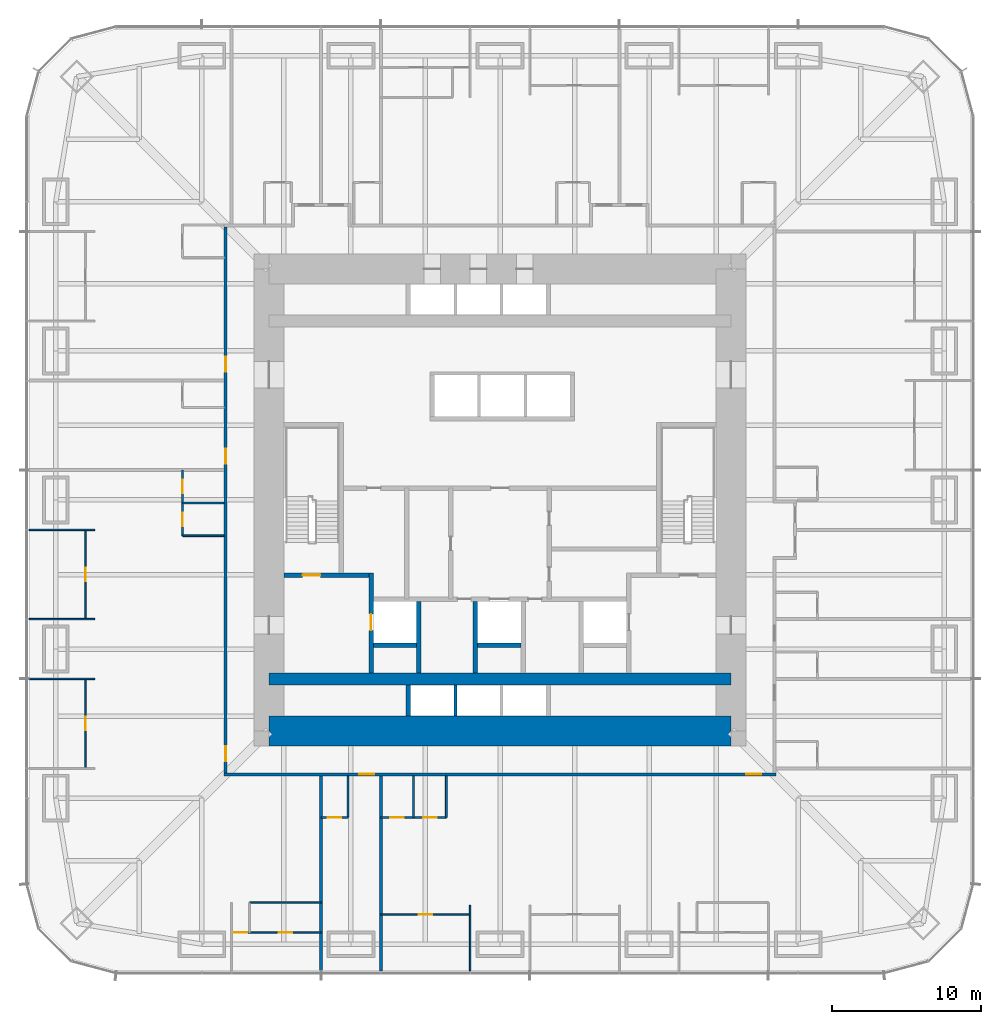
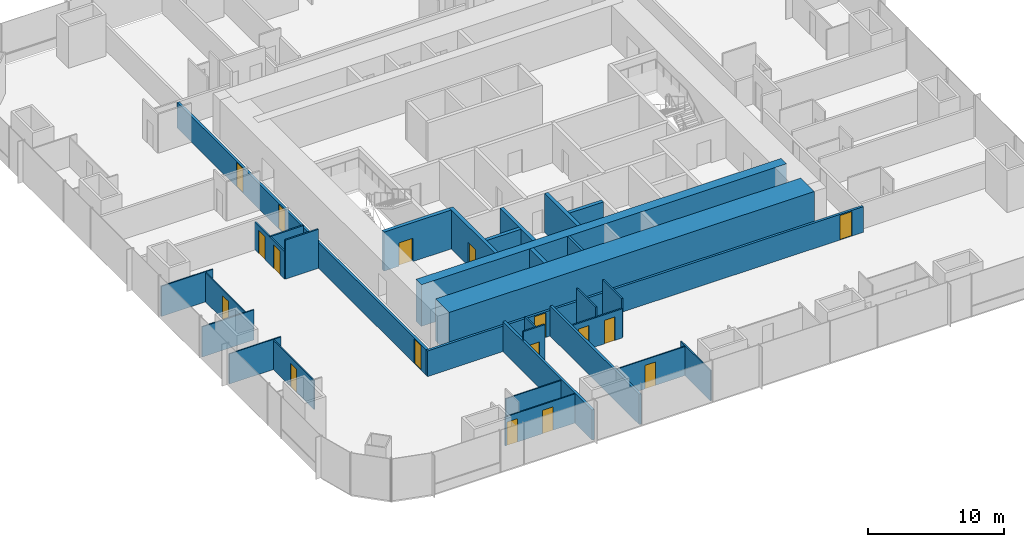
# One storey, part 12 of 17: 31 walls, 17 doors, 17 openings.
"""IFC4 building model written with IfcOpenShell, lengths in metres."""

from ifc_helpers import new_model, si_unit, direction, frame, frame_2d, origin, place, context, subcontext, project, spatial, rectangle, extrude, material, layer, layer_set, type_object, element, fill, save


model = new_model("IFC4")

# Units and contexts
model_context = context("Model", 3, precision=1e-05, world=origin(), true_north=direction((0.0, 1.0)))
body_context = subcontext(model_context, "Body", "Model", "MODEL_VIEW")
ifc_project = project(units=[si_unit("LENGTHUNIT", "METRE"), si_unit("AREAUNIT", "SQUARE_METRE"), si_unit("VOLUMEUNIT", "CUBIC_METRE"), si_unit("PLANEANGLEUNIT", "RADIAN"), si_unit("MASSUNIT", "GRAM", prefix="KILO")], contexts=[model_context])

# Site, building, storey
site_placement = place(None, origin())
site = spatial("IfcSite", under=ifc_project, at=site_placement, CompositionType="ELEMENT")
building_placement = place(site_placement, origin())
building = spatial("IfcBuilding", under=site, at=building_placement, Name="Khuree Lantern Residences", CompositionType="ELEMENT")
storey_placement = place(building_placement, frame((0.0, 0.0, 39.75)))
storey = spatial("IfcBuildingStorey", under=building, at=storey_placement, Name="L09", CompositionType="ELEMENT", Elevation=39.75)

# Wall, openings, doors
ifc_material_1 = material(Name="Moisture-resistant gypsum board on steel studs", Category="steel")
ifc_layer_1 = layer(ifc_material_1, 0.125)
ifc_layer_set_1 = layer_set([ifc_layer_1], Name="BATHROOM WALL BTW125")
wall_type_1 = type_object("IfcWallType", Name="BATHROOM WALL BTW125", PredefinedType="PARTITIONING", material=ifc_layer_set_1)
wall_1_placement = place(storey_placement, frame((-21.300048828125, 2.0, 0.0), z_axis=(0.0, 0.0, 1.0), x_axis=(0.0, -1.0, 0.0)))
wall_1 = element("IfcWall", 1, at=wall_1_placement, inside=storey, type_object=wall_type_1, Name="L09 BATHROOM WALL 09", PredefinedType="PARTITIONING", context=body_context, shape_type="SweptSolid", body=[
    extrude(rectangle(XDim=4.39990234375, YDim=0.125, at=frame_2d((2.199951171875, 0.0))), origin(), (0.0, 0.0, 1.0), 2.491943359375),
])
opening_1_placement = place(wall_1_placement, frame((0.64990234375, 0.0, 0.0)))
opening_1 = element("IfcOpeningElement", 2, at=opening_1_placement, cuts=wall_1, Name="Opening 09-047", PredefinedType="OPENING", context=body_context, shape_type="SweptSolid", body=[
    extrude(rectangle(XDim=0.89990234375, YDim=2.10009765625, at=frame_2d((0.449951171875, 1.050048828125))), frame((0.0, 0.072509765625, 0.0), z_axis=(0.0, -1.0, 0.0), x_axis=(1.0, 0.0, 0.0)), (0.0, 0.0, 1.0), 0.14501953125),
])
opening_2_placement = place(wall_1_placement, frame((2.85009765625, 0.0, 0.0)))
opening_2 = element("IfcOpeningElement", 3, at=opening_2_placement, cuts=wall_1, Name="Opening 09-048", PredefinedType="OPENING", context=body_context, shape_type="SweptSolid", body=[
    extrude(rectangle(XDim=0.89990234375, YDim=2.10009765625, at=frame_2d((0.449951171875, 1.050048828125))), frame((0.0, 0.072509765625, 0.0), z_axis=(0.0, -1.0, 0.0), x_axis=(1.0, 0.0, 0.0)), (0.0, 0.0, 1.0), 0.14501953125),
])
ifc_material_2 = material(Name="Timber door leaf in hardwood frame", Category="wood")
door_type_1 = type_object("IfcDoorType", Name="BATHROOM DOOR 900X2100", OperationType="SINGLE_SWING_LEFT", PredefinedType="DOOR", material=ifc_material_2)
door_1_placement = place(opening_1_placement, origin())
door_1 = element("IfcDoor", 4, at=door_1_placement, inside=storey, type_object=door_type_1, Name="Bathroom door 09-047", OperationType="SINGLE_SWING_LEFT", OverallHeight=2.10009765625, OverallWidth=0.89990234375, PredefinedType="DOOR", context=body_context, shape_type="SweptSolid", body=[
    extrude(rectangle(XDim=0.89990234375, YDim=2.10009765625, at=frame_2d((0.449951171875, 1.050048828125))), frame((0.0, 0.02490234375, 0.0), z_axis=(0.0, -1.0, 0.0), x_axis=(1.0, 0.0, 0.0)), (0.0, 0.0, 1.0), 0.050048828125),
])
fill(opening_1, door_1)
door_2_placement = place(opening_2_placement, origin())
door_2 = element("IfcDoor", 5, at=door_2_placement, inside=storey, type_object=door_type_1, Name="Bathroom door 09-048", OperationType="SINGLE_SWING_LEFT", OverallHeight=2.10009765625, OverallWidth=0.89990234375, PredefinedType="DOOR", context=body_context, shape_type="SweptSolid", body=[
    extrude(rectangle(XDim=0.89990234375, YDim=2.10009765625, at=frame_2d((0.449951171875, 1.050048828125))), frame((0.0, 0.02490234375, 0.0), z_axis=(0.0, -1.0, 0.0), x_axis=(1.0, 0.0, 0.0)), (0.0, 0.0, 1.0), 0.050048828125),
])
fill(opening_2, door_2)

# Walls
wall_2_placement = place(storey_placement, frame((-18.5, -0.199951171875, 0.0), z_axis=(0.0, 0.0, 1.0), x_axis=(-1.0, 0.0, 0.0)))
element("IfcWall", 6, at=wall_2_placement, inside=storey, type_object=wall_type_1, Name="L09 BATHROOM WALL 09", PredefinedType="PARTITIONING", context=body_context, shape_type="SweptSolid", body=[
    extrude(rectangle(XDim=2.800048828125, YDim=0.125, at=frame_2d((1.39990234375, 0.0))), origin(), (0.0, 0.0, 1.0), 2.491943359375),
])
wall_3_placement = place(storey_placement, frame((-18.5, -2.39990234375, 0.0), z_axis=(0.0, 0.0, 1.0), x_axis=(-1.0, 0.0, 0.0)))
element("IfcWall", 7, at=wall_3_placement, inside=storey, type_object=wall_type_1, Name="L09 BATHROOM WALL 09", PredefinedType="PARTITIONING", context=body_context, shape_type="SweptSolid", body=[
    extrude(rectangle(XDim=2.800048828125, YDim=0.125, at=frame_2d((1.39990234375, 0.0))), origin(), (0.0, 0.0, 1.0), 3.5),
])

# Wall, opening, door
wall_4_placement = place(storey_placement, frame((-12.0, -21.300048828125, 0.0), z_axis=(0.0, 0.0, 1.0), x_axis=(1.0, 0.0, 0.0)))
wall_4 = element("IfcWall", 8, at=wall_4_placement, inside=storey, type_object=wall_type_1, Name="L09 BATHROOM WALL 10", PredefinedType="PARTITIONING", context=body_context, shape_type="SweptSolid", body=[
    extrude(rectangle(XDim=1.800048828125, YDim=0.125, at=frame_2d((0.89990234375, 0.0))), origin(), (0.0, 0.0, 1.0), 3.5),
])
opening_3_placement = place(wall_4_placement, frame((0.449951171875, 0.0, 0.0)))
opening_3 = element("IfcOpeningElement", 9, at=opening_3_placement, cuts=wall_4, Name="Opening 09-050", PredefinedType="OPENING", context=body_context, shape_type="SweptSolid", body=[
    extrude(rectangle(XDim=0.89990234375, YDim=2.10009765625, at=frame_2d((0.449951171875, 1.050048828125))), frame((0.0, 0.072509765625, 0.0), z_axis=(0.0, -1.0, 0.0), x_axis=(1.0, 0.0, 0.0)), (0.0, 0.0, 1.0), 0.14501953125),
])
door_3_placement = place(opening_3_placement, origin())
door_3 = element("IfcDoor", 10, at=door_3_placement, inside=storey, type_object=door_type_1, Name="Bathroom door 09-050", OperationType="SINGLE_SWING_LEFT", OverallHeight=2.10009765625, OverallWidth=0.89990234375, PredefinedType="DOOR", context=body_context, shape_type="SweptSolid", body=[
    extrude(rectangle(XDim=0.89990234375, YDim=2.10009765625, at=frame_2d((0.449951171875, 1.050048828125))), frame((0.0, 0.02490234375, 0.0), z_axis=(0.0, -1.0, 0.0), x_axis=(1.0, 0.0, 0.0)), (0.0, 0.0, 1.0), 0.050048828125),
])
fill(opening_3, door_3)

# Wall
wall_5_placement = place(storey_placement, frame((-10.199951171875, -18.5, 0.0), z_axis=(0.0, 0.0, 1.0), x_axis=(0.0, -1.0, 0.0)))
element("IfcWall", 11, at=wall_5_placement, inside=storey, type_object=wall_type_1, Name="L09 BATHROOM WALL 10", PredefinedType="PARTITIONING", context=body_context, shape_type="SweptSolid", body=[
    extrude(rectangle(XDim=2.800048828125, YDim=0.125, at=frame_2d((1.39990234375, 0.0))), origin(), (0.0, 0.0, 1.0), 2.491943359375),
])

# Wall, openings, doors
wall_6_placement = place(storey_placement, frame((-8.0, -21.300048828125, 0.0), z_axis=(0.0, 0.0, 1.0), x_axis=(1.0, 0.0, 0.0)))
wall_6 = element("IfcWall", 12, at=wall_6_placement, inside=storey, type_object=wall_type_1, Name="L09 BATHROOM WALL 11", PredefinedType="PARTITIONING", context=body_context, shape_type="SweptSolid", body=[
    extrude(rectangle(XDim=4.39990234375, YDim=0.125, at=frame_2d((2.199951171875, 0.0))), origin(), (0.0, 0.0, 1.0), 2.610107421875),
])
opening_4_placement = place(wall_6_placement, frame((0.64990234375, 0.0, 0.0)))
opening_4 = element("IfcOpeningElement", 13, at=opening_4_placement, cuts=wall_6, Name="Opening 09-056", PredefinedType="OPENING", context=body_context, shape_type="SweptSolid", body=[
    extrude(rectangle(XDim=0.89990234375, YDim=2.10009765625, at=frame_2d((0.449951171875, 1.050048828125))), frame((0.0, 0.072509765625, 0.0), z_axis=(0.0, -1.0, 0.0), x_axis=(1.0, 0.0, 0.0)), (0.0, 0.0, 1.0), 0.14501953125),
])
opening_5_placement = place(wall_6_placement, frame((2.85009765625, 0.0, 0.0)))
opening_5 = element("IfcOpeningElement", 14, at=opening_5_placement, cuts=wall_6, Name="Opening 09-057", PredefinedType="OPENING", context=body_context, shape_type="SweptSolid", body=[
    extrude(rectangle(XDim=0.89990234375, YDim=2.10009765625, at=frame_2d((0.449951171875, 1.050048828125))), frame((0.0, 0.072509765625, 0.0), z_axis=(0.0, -1.0, 0.0), x_axis=(1.0, 0.0, 0.0)), (0.0, 0.0, 1.0), 0.14501953125),
])
door_4_placement = place(opening_4_placement, origin())
door_4 = element("IfcDoor", 15, at=door_4_placement, inside=storey, type_object=door_type_1, Name="Bathroom door 09-056", OperationType="SINGLE_SWING_LEFT", OverallHeight=2.10009765625, OverallWidth=0.89990234375, PredefinedType="DOOR", context=body_context, shape_type="SweptSolid", body=[
    extrude(rectangle(XDim=0.89990234375, YDim=2.10009765625, at=frame_2d((0.449951171875, 1.050048828125))), frame((0.0, 0.02490234375, 0.0), z_axis=(0.0, -1.0, 0.0), x_axis=(1.0, 0.0, 0.0)), (0.0, 0.0, 1.0), 0.050048828125),
])
fill(opening_4, door_4)
door_5_placement = place(opening_5_placement, origin())
door_5 = element("IfcDoor", 16, at=door_5_placement, inside=storey, type_object=door_type_1, Name="Bathroom door 09-057", OperationType="SINGLE_SWING_LEFT", OverallHeight=2.10009765625, OverallWidth=0.89990234375, PredefinedType="DOOR", context=body_context, shape_type="SweptSolid", body=[
    extrude(rectangle(XDim=0.89990234375, YDim=2.10009765625, at=frame_2d((0.449951171875, 1.050048828125))), frame((0.0, 0.02490234375, 0.0), z_axis=(0.0, -1.0, 0.0), x_axis=(1.0, 0.0, 0.0)), (0.0, 0.0, 1.0), 0.050048828125),
])
fill(opening_5, door_5)

# Walls
for number, where, z_axis, x_axis, name in (
    (17, (-5.800048828125, -18.5, 0.0), (0.0, 0.0, 1.0), (0.0, -1.0, 0.0), "L09 BATHROOM WALL 11"),
    (18, (-3.60009765625, -18.5, 0.0), (0.0, 0.0, 1.0), (0.0, -1.0, 0.0), "L09 BATHROOM WALL 11"),
):
    element("IfcWall", number, at=place(storey_placement, frame(where, z_axis=z_axis, x_axis=x_axis)), inside=storey, type_object=wall_type_1, Name=name, PredefinedType="PARTITIONING", context=body_context, shape_type="SweptSolid", body=[
        extrude(rectangle(XDim=2.800048828125, YDim=0.125, at=frame_2d((1.39990234375, 0.0))), origin(), (0.0, 0.0, 1.0), 3.5),
    ])

# Wall, opening, door
ifc_material_3 = material(Name="Dense concrete blockwork", Category="masonry")
ifc_layer_2 = layer(ifc_material_3, 0.300048828125)
ifc_layer_set_2 = layer_set([ifc_layer_2], Name="CORE PARTITION WALL CPW300 EI 120")
wall_type_2 = type_object("IfcWallType", Name="CORE PARTITION WALL CPW300 EI 120", PredefinedType="PARTITIONING", material=ifc_layer_set_2)
wall_7_placement = place(storey_placement, frame((-8.64990234375, -11.60009765625, 0.0), z_axis=(0.0, 0.0, 1.0), x_axis=(0.0, 1.0, 0.0)))
wall_7 = element("IfcWall", 19, at=wall_7_placement, inside=storey, type_object=wall_type_2, Name="L09 CORE WALL FL1W", PredefinedType="PARTITIONING", context=body_context, shape_type="SweptSolid", body=[
    extrude(rectangle(XDim=6.7001953125, YDim=0.300048828125, at=frame_2d((3.35009765625, 0.0))), origin(), (0.0, 0.0, 1.0), 3.5),
])
opening_6_placement = place(wall_7_placement, frame((2.85009765625, 0.0, 0.0)))
opening_6 = element("IfcOpeningElement", 20, at=opening_6_placement, cuts=wall_7, Name="Opening 09-007", PredefinedType="OPENING", context=body_context, shape_type="SweptSolid", body=[
    extrude(rectangle(XDim=1.10009765625, YDim=2.10009765625, at=frame_2d((0.550048828125, 1.050048828125))), frame((0.0, 0.16015625, 0.0), z_axis=(0.0, -1.0, 0.0), x_axis=(1.0, 0.0, 0.0)), (0.0, 0.0, 1.0), 0.320068359375),
])
ifc_material_4 = material(Name="Stainless steel lift landing door", Category="steel")
door_type_2 = type_object("IfcDoorType", Name="LIFT LANDING DOOR 1100X2100 E 120", OperationType="DOUBLE_DOOR_SLIDING", PredefinedType="DOOR", material=ifc_material_4)
door_6_placement = place(opening_6_placement, origin())
door_6 = element("IfcDoor", 21, at=door_6_placement, inside=storey, type_object=door_type_2, Name="Landing door FL1 09-007", OperationType="DOUBLE_DOOR_SLIDING", OverallHeight=2.10009765625, OverallWidth=1.10009765625, PredefinedType="DOOR", context=body_context, shape_type="SweptSolid", body=[
    extrude(rectangle(XDim=1.10009765625, YDim=2.10009765625, at=frame_2d((0.550048828125, 1.050048828125))), frame((0.0, 0.02490234375, 0.0), z_axis=(0.0, -1.0, 0.0), x_axis=(1.0, 0.0, 0.0)), (0.0, 0.0, 1.0), 0.050048828125),
])
fill(opening_6, door_6)

# Walls
for number, where, z_axis, x_axis, name in (
    (22, (-5.449951171875, -11.60009765625, 0.0), (0.0, 0.0, 1.0), (0.0, 1.0, 0.0), "L09 CORE WALL FL1E"),
    (23, (-1.64990234375, -11.60009765625, 0.0), (0.0, 0.0, 1.0), (0.0, 1.0, 0.0), "L09 CORE WALL SL1W"),
):
    element("IfcWall", number, at=place(storey_placement, frame(where, z_axis=z_axis, x_axis=x_axis)), inside=storey, type_object=wall_type_2, Name=name, PredefinedType="PARTITIONING", context=body_context, shape_type="SweptSolid", body=[
        extrude(rectangle(XDim=4.800048828125, YDim=0.300048828125, at=frame_2d((2.39990234375, 0.0))), origin(), (0.0, 0.0, 1.0), 3.5),
    ])
for number, where, z_axis, x_axis, name in (
    (24, (-8.5, -9.75, 0.0), (0.0, 0.0, 1.0), (1.0, 0.0, 0.0), "L09 CORE WALL FL1S"),
    (25, (-1.5, -9.75, 0.0), (0.0, 0.0, 1.0), (1.0, 0.0, 0.0), "L09 CORE WALL SL1S"),
):
    element("IfcWall", number, at=place(storey_placement, frame(where, z_axis=z_axis, x_axis=x_axis)), inside=storey, type_object=wall_type_2, Name=name, PredefinedType="PARTITIONING", context=body_context, shape_type="SweptSolid", body=[
        extrude(rectangle(XDim=2.89990234375, YDim=0.300048828125, at=frame_2d((1.449951171875, 0.0))), origin(), (0.0, 0.0, 1.0), 3.5),
    ])
wall_8_placement = place(storey_placement, frame((-6.14990234375, -14.5, 0.0), z_axis=(0.0, 0.0, 1.0), x_axis=(0.0, 1.0, 0.0)))
element("IfcWall", 26, at=wall_8_placement, inside=storey, type_object=wall_type_2, Name="L09 CORE WALL PMW", PredefinedType="PARTITIONING", context=body_context, shape_type="SweptSolid", body=[
    extrude(rectangle(XDim=2.10009765625, YDim=0.300048828125, at=frame_2d((1.050048828125, 0.0))), origin(), (0.0, 0.0, 1.0), 3.5),
])

# Wall, openings, doors
ifc_material_5 = material(Name="Gypsum board on steel studs", Category="steel")
ifc_layer_3 = layer(ifc_material_5, 0.199951171875)
ifc_layer_set_3 = layer_set([ifc_layer_3], Name="CORRIDOR WALL CRW200 EI 60")
wall_type_3 = type_object("IfcWallType", Name="CORRIDOR WALL CRW200 EI 60", PredefinedType="PARTITIONING", material=ifc_layer_set_3)
wall_9_placement = place(storey_placement, frame((-18.39990234375, 18.300048828125, 0.0), z_axis=(0.0, 0.0, 1.0), x_axis=(0.0, -1.0, 0.0)))
wall_9 = element("IfcWall", 27, at=wall_9_placement, inside=storey, type_object=wall_type_3, Name="L09 CORRIDOR WALL WEST 1", PredefinedType="PARTITIONING", context=body_context, shape_type="SweptSolid", body=[
    extrude(rectangle(XDim=36.60009765625, YDim=0.199951171875, at=frame_2d((18.300048828125, 0.0))), origin(), (0.0, 0.0, 1.0), 2.300048828125),
])
opening_7_placement = place(wall_9_placement, frame((8.699951171875, 0.0, 0.0)))
opening_7 = element("IfcOpeningElement", 28, at=opening_7_placement, cuts=wall_9, Name="Opening 09-040", PredefinedType="OPENING", context=body_context, shape_type="SweptSolid", body=[
    extrude(rectangle(XDim=1.0, YDim=2.199951171875, at=frame_2d((0.5, 1.10009765625))), frame((0.0, 0.10986328125, 0.0), z_axis=(0.0, -1.0, 0.0), x_axis=(1.0, 0.0, 0.0)), (0.0, 0.0, 1.0), 0.219970703125),
])
opening_8_placement = place(wall_9_placement, frame((14.8701171875, 0.0, 0.0)))
opening_8 = element("IfcOpeningElement", 29, at=opening_8_placement, cuts=wall_9, Name="Opening 09-042", PredefinedType="OPENING", context=body_context, shape_type="SweptSolid", body=[
    extrude(rectangle(XDim=1.0, YDim=2.199951171875, at=frame_2d((0.5, 1.10009765625))), frame((0.0, 0.10986328125, 0.0), z_axis=(0.0, -1.0, 0.0), x_axis=(1.0, 0.0, 0.0)), (0.0, 0.0, 1.0), 0.219970703125),
])
opening_9_placement = place(wall_9_placement, frame((34.820068359375, 0.0, 0.0)))
opening_9 = element("IfcOpeningElement", 30, at=opening_9_placement, cuts=wall_9, Name="Opening 09-049", PredefinedType="OPENING", context=body_context, shape_type="SweptSolid", body=[
    extrude(rectangle(XDim=1.0, YDim=2.199951171875, at=frame_2d((0.5, 1.10009765625))), frame((0.0, 0.10986328125, 0.0), z_axis=(0.0, -1.0, 0.0), x_axis=(1.0, 0.0, 0.0)), (0.0, 0.0, 1.0), 0.219970703125),
])
door_type_3 = type_object("IfcDoorType", Name="APARTMENT ENTRANCE DOOR 1000X2200 EI 30S", OperationType="SINGLE_SWING_LEFT", PredefinedType="DOOR", material=ifc_material_2)
door_7_placement = place(opening_7_placement, origin())
door_7 = element("IfcDoor", 31, at=door_7_placement, inside=storey, type_object=door_type_3, Name="Apartment 07 entrance door 09-040", OperationType="SINGLE_SWING_LEFT", OverallHeight=2.199951171875, OverallWidth=1.0, PredefinedType="DOOR", context=body_context, shape_type="SweptSolid", body=[
    extrude(rectangle(XDim=1.0, YDim=2.199951171875, at=frame_2d((0.5, 1.10009765625))), frame((0.0, 0.02490234375, 0.0), z_axis=(0.0, -1.0, 0.0), x_axis=(1.0, 0.0, 0.0)), (0.0, 0.0, 1.0), 0.050048828125),
])
fill(opening_7, door_7)
door_8_placement = place(opening_8_placement, origin())
door_8 = element("IfcDoor", 32, at=door_8_placement, inside=storey, type_object=door_type_3, Name="Apartment 08 entrance door 09-042", OperationType="SINGLE_SWING_LEFT", OverallHeight=2.199951171875, OverallWidth=1.0, PredefinedType="DOOR", context=body_context, shape_type="SweptSolid", body=[
    extrude(rectangle(XDim=1.0, YDim=2.199951171875, at=frame_2d((0.5, 1.10009765625))), frame((0.0, 0.02490234375, 0.0), z_axis=(0.0, -1.0, 0.0), x_axis=(1.0, 0.0, 0.0)), (0.0, 0.0, 1.0), 0.050048828125),
])
fill(opening_8, door_8)
door_type_4 = type_object("IfcDoorType", Name="APARTMENT ENTRANCE DOOR 1000X2200 EI 30S RIGHT HAND", OperationType="SINGLE_SWING_RIGHT", PredefinedType="DOOR", material=ifc_material_2)
door_9_placement = place(opening_9_placement, origin())
door_9 = element("IfcDoor", 33, at=door_9_placement, inside=storey, type_object=door_type_4, Name="Apartment 09 entrance door 09-049", OperationType="SINGLE_SWING_RIGHT", OverallHeight=2.199951171875, OverallWidth=1.0, PredefinedType="DOOR", context=body_context, shape_type="SweptSolid", body=[
    extrude(rectangle(XDim=1.0, YDim=2.199951171875, at=frame_2d((0.5, 1.10009765625))), frame((0.0, 0.02490234375, 0.0), z_axis=(0.0, -1.0, 0.0), x_axis=(1.0, 0.0, 0.0)), (0.0, 0.0, 1.0), 0.050048828125),
])
fill(opening_9, door_9)

wall_10_placement = place(storey_placement, frame((18.5, -18.39990234375, 0.0), z_axis=(0.0, 0.0, 1.0), x_axis=(-1.0, 0.0, 0.0)))
wall_10 = element("IfcWall", 34, at=wall_10_placement, inside=storey, type_object=wall_type_3, Name="L09 CORRIDOR WALL SOUTH 1", PredefinedType="PARTITIONING", context=body_context, shape_type="SweptSolid", body=[
    extrude(rectangle(XDim=37.0, YDim=0.199951171875, at=frame_2d((18.5, 0.0))), origin(), (0.0, 0.0, 1.0), 2.300048828125),
])
opening_10_placement = place(wall_10_placement, frame((26.929931640625, 0.0, 0.0)))
opening_10 = element("IfcOpeningElement", 35, at=opening_10_placement, cuts=wall_10, Name="Opening 09-051", PredefinedType="OPENING", context=body_context, shape_type="SweptSolid", body=[
    extrude(rectangle(XDim=1.0, YDim=2.199951171875, at=frame_2d((0.5, 1.10009765625))), frame((0.0, 0.10986328125, 0.0), z_axis=(0.0, -1.0, 0.0), x_axis=(1.0, 0.0, 0.0)), (0.0, 0.0, 1.0), 0.219970703125),
])
opening_11_placement = place(wall_10_placement, frame((0.97998046875, 0.0, 0.0)))
opening_11 = element("IfcOpeningElement", 36, at=opening_11_placement, cuts=wall_10, Name="Opening 09-058", PredefinedType="OPENING", context=body_context, shape_type="SweptSolid", body=[
    extrude(rectangle(XDim=1.0, YDim=2.199951171875, at=frame_2d((0.5, 1.10009765625))), frame((0.0, 0.10986328125, 0.0), z_axis=(0.0, -1.0, 0.0), x_axis=(1.0, 0.0, 0.0)), (0.0, 0.0, 1.0), 0.219970703125),
])
door_10_placement = place(opening_10_placement, origin())
door_10 = element("IfcDoor", 37, at=door_10_placement, inside=storey, type_object=door_type_3, Name="Apartment 10 entrance door 09-051", OperationType="SINGLE_SWING_LEFT", OverallHeight=2.199951171875, OverallWidth=1.0, PredefinedType="DOOR", context=body_context, shape_type="SweptSolid", body=[
    extrude(rectangle(XDim=1.0, YDim=2.199951171875, at=frame_2d((0.5, 1.10009765625))), frame((0.0, 0.02490234375, 0.0), z_axis=(0.0, -1.0, 0.0), x_axis=(1.0, 0.0, 0.0)), (0.0, 0.0, 1.0), 0.050048828125),
])
fill(opening_10, door_10)
door_11_placement = place(opening_11_placement, origin())
door_11 = element("IfcDoor", 38, at=door_11_placement, inside=storey, type_object=door_type_3, Name="Apartment 11 entrance door 09-058", OperationType="SINGLE_SWING_LEFT", OverallHeight=2.199951171875, OverallWidth=1.0, PredefinedType="DOOR", context=body_context, shape_type="SweptSolid", body=[
    extrude(rectangle(XDim=1.0, YDim=2.199951171875, at=frame_2d((0.5, 1.10009765625))), frame((0.0, 0.02490234375, 0.0), z_axis=(0.0, -1.0, 0.0), x_axis=(1.0, 0.0, 0.0)), (0.0, 0.0, 1.0), 0.050048828125),
])
fill(opening_11, door_11)

# Walls
ifc_material_6 = material(Name="Concrete C70/85", Category="concrete")
ifc_layer_4 = layer(ifc_material_6, 2.0)
ifc_layer_set_4 = layer_set([ifc_layer_4], Name="CW2000-C70 CORE WALL C70 2000")
wall_type_4 = type_object("IfcWallType", Name="CW2000-C70 CORE WALL C70 2000", PredefinedType="SHEAR", material=ifc_layer_set_4)
wall_11_placement = place(storey_placement, frame((-15.5, -15.5, -0.25), z_axis=(0.0, 0.0, 1.0), x_axis=(1.0, 0.0, 0.0)))
element("IfcWall", 39, at=wall_11_placement, inside=storey, type_object=wall_type_4, Name="Core wall S", PredefinedType="SHEAR", context=body_context, shape_type="SweptSolid", body=[
    extrude(rectangle(XDim=31.0, YDim=2.0, at=frame_2d((15.5, 0.0))), origin(), (0.0, 0.0, 1.0), 3.75),
])
ifc_layer_5 = layer(ifc_material_5, 0.199951171875)
ifc_layer_set_5 = layer_set([ifc_layer_5], Name="DEMISING WALL DMW200 EI 90")
wall_type_5 = type_object("IfcWallType", Name="DEMISING WALL DMW200 EI 90", PredefinedType="PARTITIONING", material=ifc_layer_set_5)
for number, where, z_axis, x_axis, name in (
    (40, (-12.0, -18.5, 0.0), (0.0, 0.0, 1.0), (0.0, -1.0, 0.0), "L09 DEMISING WALL 10"),
    (41, (-8.0, -18.5, 0.0), (0.0, 0.0, 1.0), (0.0, -1.0, 0.0), "L09 DEMISING WALL 11"),
):
    element("IfcWall", number, at=place(storey_placement, frame(where, z_axis=z_axis, x_axis=x_axis)), inside=storey, type_object=wall_type_5, Name=name, PredefinedType="PARTITIONING", context=body_context, shape_type="SweptSolid", body=[
        extrude(rectangle(XDim=13.10009765625, YDim=0.199951171875, at=frame_2d((6.550048828125, 0.0))), origin(), (0.0, 0.0, 1.0), 2.7099609375),
    ])
ifc_layer_6 = layer(ifc_material_5, 0.10009765625)
ifc_layer_set_6 = layer_set([ifc_layer_6], Name="PARTITION PT100")
wall_type_6 = type_object("IfcWallType", Name="PARTITION PT100", PredefinedType="PARTITIONING", material=ifc_layer_set_6)
for number, where, z_axis, x_axis, name in (
    (42, (-27.199951171875, -2.0, 0.0), (0.0, 0.0, 1.0), (-1.0, 0.0, 0.0), "L09 PARTITION 09"),
    (43, (-27.199951171875, -8.0, 0.0), (0.0, 0.0, 1.0), (-1.0, 0.0, 0.0), "L09 PARTITION 09"),
    (44, (-27.199951171875, -12.0, 0.0), (0.0, 0.0, 1.0), (-1.0, 0.0, 0.0), "L09 PARTITION 09"),
    (45, (-2.0, -27.199951171875, 0.0), (0.0, 0.0, 1.0), (0.0, -1.0, 0.0), "L09 PARTITION 11"),
):
    element("IfcWall", number, at=place(storey_placement, frame(where, z_axis=z_axis, x_axis=x_axis)), inside=storey, type_object=wall_type_6, Name=name, PredefinedType="PARTITIONING", context=body_context, shape_type="SweptSolid", body=[
        extrude(rectangle(XDim=4.400146484375, YDim=0.10009765625, at=frame_2d((2.2001953125, 0.0))), origin(), (0.0, 0.0, 1.0), 2.7099609375),
    ])

# Wall, opening, door
wall_12_placement = place(storey_placement, frame((-27.800048828125, -2.0, 0.0), z_axis=(0.0, 0.0, 1.0), x_axis=(0.0, -1.0, 0.0)))
wall_12 = element("IfcWall", 46, at=wall_12_placement, inside=storey, type_object=wall_type_6, Name="L09 PARTITION 09", PredefinedType="PARTITIONING", context=body_context, shape_type="SweptSolid", body=[
    extrude(rectangle(XDim=6.0, YDim=0.10009765625, at=frame_2d((3.0, 0.0))), origin(), (0.0, 0.0, 1.0), 2.610107421875),
])
opening_12_placement = place(wall_12_placement, frame((2.550048828125, 0.0, 0.0)))
opening_12 = element("IfcOpeningElement", 47, at=opening_12_placement, cuts=wall_12, Name="Opening 09-043", PredefinedType="OPENING", context=body_context, shape_type="SweptSolid", body=[
    extrude(rectangle(XDim=0.89990234375, YDim=2.10009765625, at=frame_2d((0.449951171875, 1.050048828125))), frame((0.0, 0.06005859375, 0.0), z_axis=(0.0, -1.0, 0.0), x_axis=(1.0, 0.0, 0.0)), (0.0, 0.0, 1.0), 0.1201171875),
])
door_type_5 = type_object("IfcDoorType", Name="BEDROOM DOOR 900X2100", OperationType="SINGLE_SWING_LEFT", PredefinedType="DOOR", material=ifc_material_2)
door_12_placement = place(opening_12_placement, origin())
door_12 = element("IfcDoor", 48, at=door_12_placement, inside=storey, type_object=door_type_5, Name="Bedroom door 09-043", OperationType="SINGLE_SWING_LEFT", OverallHeight=2.10009765625, OverallWidth=0.89990234375, PredefinedType="DOOR", context=body_context, shape_type="SweptSolid", body=[
    extrude(rectangle(XDim=0.89990234375, YDim=2.10009765625, at=frame_2d((0.449951171875, 1.050048828125))), frame((0.0, 0.02490234375, 0.0), z_axis=(0.0, -1.0, 0.0), x_axis=(1.0, 0.0, 0.0)), (0.0, 0.0, 1.0), 0.050048828125),
])
fill(opening_12, door_12)

wall_13_placement = place(storey_placement, frame((-27.800048828125, -12.0, 0.0), z_axis=(0.0, 0.0, 1.0), x_axis=(0.0, -1.0, 0.0)))
wall_13 = element("IfcWall", 49, at=wall_13_placement, inside=storey, type_object=wall_type_6, Name="L09 PARTITION 09", PredefinedType="PARTITIONING", context=body_context, shape_type="SweptSolid", body=[
    extrude(rectangle(XDim=6.0, YDim=0.10009765625, at=frame_2d((3.0, 0.0))), origin(), (0.0, 0.0, 1.0), 2.610107421875),
])
opening_13_placement = place(wall_13_placement, frame((2.550048828125, 0.0, 0.0)))
opening_13 = element("IfcOpeningElement", 50, at=opening_13_placement, cuts=wall_13, Name="Opening 09-044", PredefinedType="OPENING", context=body_context, shape_type="SweptSolid", body=[
    extrude(rectangle(XDim=0.89990234375, YDim=2.10009765625, at=frame_2d((0.449951171875, 1.050048828125))), frame((0.0, 0.06005859375, 0.0), z_axis=(0.0, -1.0, 0.0), x_axis=(1.0, 0.0, 0.0)), (0.0, 0.0, 1.0), 0.1201171875),
])
door_13_placement = place(opening_13_placement, origin())
door_13 = element("IfcDoor", 51, at=door_13_placement, inside=storey, type_object=door_type_5, Name="Bedroom door 09-044", OperationType="SINGLE_SWING_LEFT", OverallHeight=2.10009765625, OverallWidth=0.89990234375, PredefinedType="DOOR", context=body_context, shape_type="SweptSolid", body=[
    extrude(rectangle(XDim=0.89990234375, YDim=2.10009765625, at=frame_2d((0.449951171875, 1.050048828125))), frame((0.0, 0.02490234375, 0.0), z_axis=(0.0, -1.0, 0.0), x_axis=(1.0, 0.0, 0.0)), (0.0, 0.0, 1.0), 0.050048828125),
])
fill(opening_13, door_13)

# Wall, openings, doors
wall_14_placement = place(storey_placement, frame((-18.0, -29.0166015625, 0.0), z_axis=(0.0, 0.0, 1.0), x_axis=(1.0, 0.0, 0.0)))
wall_14 = element("IfcWall", 52, at=wall_14_placement, inside=storey, type_object=wall_type_6, Name="L09 PARTITION 09", PredefinedType="PARTITIONING", context=body_context, shape_type="SweptSolid", body=[
    extrude(rectangle(XDim=6.0, YDim=0.10009765625, at=frame_2d((3.0, 0.0))), origin(), (0.0, 0.0, 1.0), 2.610107421875),
])
opening_14_placement = place(wall_14_placement, frame((0.14990234375, 0.0, 0.0)))
opening_14 = element("IfcOpeningElement", 53, at=opening_14_placement, cuts=wall_14, Name="Opening 09-045", PredefinedType="OPENING", context=body_context, shape_type="SweptSolid", body=[
    extrude(rectangle(XDim=0.89990234375, YDim=2.10009765625, at=frame_2d((0.449951171875, 1.050048828125))), frame((0.0, 0.06005859375, 0.0), z_axis=(0.0, -1.0, 0.0), x_axis=(1.0, 0.0, 0.0)), (0.0, 0.0, 1.0), 0.1201171875),
])
opening_15_placement = place(wall_14_placement, frame((3.14990234375, 0.0, 0.0)))
opening_15 = element("IfcOpeningElement", 54, at=opening_15_placement, cuts=wall_14, Name="Opening 09-046", PredefinedType="OPENING", context=body_context, shape_type="SweptSolid", body=[
    extrude(rectangle(XDim=0.89990234375, YDim=2.10009765625, at=frame_2d((0.449951171875, 1.050048828125))), frame((0.0, 0.06005859375, 0.0), z_axis=(0.0, -1.0, 0.0), x_axis=(1.0, 0.0, 0.0)), (0.0, 0.0, 1.0), 0.1201171875),
])
door_14_placement = place(opening_14_placement, origin())
door_14 = element("IfcDoor", 55, at=door_14_placement, inside=storey, type_object=door_type_5, Name="Bedroom door 09-045", OperationType="SINGLE_SWING_LEFT", OverallHeight=2.10009765625, OverallWidth=0.89990234375, PredefinedType="DOOR", context=body_context, shape_type="SweptSolid", body=[
    extrude(rectangle(XDim=0.89990234375, YDim=2.10009765625, at=frame_2d((0.449951171875, 1.050048828125))), frame((0.0, 0.02490234375, 0.0), z_axis=(0.0, -1.0, 0.0), x_axis=(1.0, 0.0, 0.0)), (0.0, 0.0, 1.0), 0.050048828125),
])
fill(opening_14, door_14)
door_type_6 = type_object("IfcDoorType", Name="DOOR 900X2100", OperationType="SINGLE_SWING_LEFT", PredefinedType="DOOR", material=ifc_material_2)
door_15_placement = place(opening_15_placement, origin())
door_15 = element("IfcDoor", 56, at=door_15_placement, inside=storey, type_object=door_type_6, Name="Wardrobe door 09-046", OperationType="SINGLE_SWING_LEFT", OverallHeight=2.10009765625, OverallWidth=0.89990234375, PredefinedType="DOOR", context=body_context, shape_type="SweptSolid", body=[
    extrude(rectangle(XDim=0.89990234375, YDim=2.10009765625, at=frame_2d((0.449951171875, 1.050048828125))), frame((0.0, 0.02490234375, 0.0), z_axis=(0.0, -1.0, 0.0), x_axis=(1.0, 0.0, 0.0)), (0.0, 0.0, 1.0), 0.050048828125),
])
fill(opening_15, door_15)

# Wall
wall_15_placement = place(storey_placement, frame((-16.800048828125, -27.0166015625, 0.0), z_axis=(0.0, 0.0, 1.0), x_axis=(1.0, 0.0, 0.0)))
element("IfcWall", 57, at=wall_15_placement, inside=storey, type_object=wall_type_6, Name="L09 PARTITION 09", PredefinedType="PARTITIONING", context=body_context, shape_type="SweptSolid", body=[
    extrude(rectangle(XDim=4.800048828125, YDim=0.10009765625, at=frame_2d((2.39990234375, 0.0))), origin(), (0.0, 0.0, 1.0), 2.610107421875),
])

# Wall, opening, door
wall_16_placement = place(storey_placement, frame((-8.0, -27.800048828125, 0.0), z_axis=(0.0, 0.0, 1.0), x_axis=(1.0, 0.0, 0.0)))
wall_16 = element("IfcWall", 58, at=wall_16_placement, inside=storey, type_object=wall_type_6, Name="L09 PARTITION 11", PredefinedType="PARTITIONING", context=body_context, shape_type="SweptSolid", body=[
    extrude(rectangle(XDim=6.0, YDim=0.10009765625, at=frame_2d((3.0, 0.0))), origin(), (0.0, 0.0, 1.0), 2.610107421875),
])
opening_16_placement = place(wall_16_placement, frame((2.550048828125, 0.0, 0.0)))
opening_16 = element("IfcOpeningElement", 59, at=opening_16_placement, cuts=wall_16, Name="Opening 09-052", PredefinedType="OPENING", context=body_context, shape_type="SweptSolid", body=[
    extrude(rectangle(XDim=0.89990234375, YDim=2.10009765625, at=frame_2d((0.449951171875, 1.050048828125))), frame((0.0, 0.06005859375, 0.0), z_axis=(0.0, -1.0, 0.0), x_axis=(1.0, 0.0, 0.0)), (0.0, 0.0, 1.0), 0.1201171875),
])
door_16_placement = place(opening_16_placement, origin())
door_16 = element("IfcDoor", 60, at=door_16_placement, inside=storey, type_object=door_type_5, Name="Bedroom door 09-052", OperationType="SINGLE_SWING_LEFT", OverallHeight=2.10009765625, OverallWidth=0.89990234375, PredefinedType="DOOR", context=body_context, shape_type="SweptSolid", body=[
    extrude(rectangle(XDim=0.89990234375, YDim=2.10009765625, at=frame_2d((0.449951171875, 1.050048828125))), frame((0.0, 0.02490234375, 0.0), z_axis=(0.0, -1.0, 0.0), x_axis=(1.0, 0.0, 0.0)), (0.0, 0.0, 1.0), 0.050048828125),
])
fill(opening_16, door_16)

# Walls
ifc_layer_7 = layer(ifc_material_3, 0.199951171875)
ifc_layer_set_7 = layer_set([ifc_layer_7], Name="SHAFT WALL SHW200 EI 120")
wall_type_7 = type_object("IfcWallType", Name="SHAFT WALL SHW200 EI 120", PredefinedType="PARTITIONING", material=ifc_layer_set_7)
wall_17_placement = place(storey_placement, frame((-3.0, -14.5, 0.0), z_axis=(0.0, 0.0, 1.0), x_axis=(0.0, 1.0, 0.0)))
element("IfcWall", 61, at=wall_17_placement, inside=storey, type_object=wall_type_7, Name="L09 CORE WALL PMD1", PredefinedType="PARTITIONING", context=body_context, shape_type="SweptSolid", body=[
    extrude(rectangle(XDim=2.10009765625, YDim=0.199951171875, at=frame_2d((1.050048828125, 0.0))), origin(), (0.0, 0.0, 1.0), 3.5),
])
ifc_layer_8 = layer(ifc_material_6, 0.800048828125)
ifc_layer_set_8 = layer_set([ifc_layer_8], Name="SP800-C70 CORE SPINE WALL C70 800")
wall_type_8 = type_object("IfcWallType", Name="SP800-C70 CORE SPINE WALL C70 800", PredefinedType="SHEAR", material=ifc_layer_set_8)
wall_18_placement = place(storey_placement, frame((-15.5, -12.0, -0.25), z_axis=(0.0, 0.0, 1.0), x_axis=(1.0, 0.0, 0.0)))
element("IfcWall", 62, at=wall_18_placement, inside=storey, type_object=wall_type_8, Name="Core wall SPS", PredefinedType="SHEAR", context=body_context, shape_type="SweptSolid", body=[
    extrude(rectangle(XDim=31.0, YDim=0.800048828125, at=frame_2d((15.5, 0.0))), origin(), (0.0, 0.0, 1.0), 3.75),
])

# Wall, opening, door
ifc_material_7 = material(Name="Concrete C50/60", Category="concrete")
ifc_layer_9 = layer(ifc_material_7, 0.300048828125)
ifc_layer_set_9 = layer_set([ifc_layer_9], Name="STAIR WALL SRW300 C50/60 REI 240")
wall_type_9 = type_object("IfcWallType", Name="STAIR WALL SRW300 C50/60 REI 240", PredefinedType="SOLIDWALL", material=ifc_layer_set_9)
wall_19_placement = place(storey_placement, frame((-14.5, -5.050048828125, 0.0), z_axis=(0.0, 0.0, 1.0), x_axis=(1.0, 0.0, 0.0)))
wall_19 = element("IfcWall", 63, at=wall_19_placement, inside=storey, type_object=wall_type_9, Name="L09 STAIR WALL ST1S", PredefinedType="SOLIDWALL", context=body_context, shape_type="SweptSolid", body=[
    extrude(rectangle(XDim=5.699951171875, YDim=0.300048828125, at=frame_2d((2.85009765625, 0.0))), origin(), (0.0, 0.0, 1.0), 3.5),
])
opening_17_placement = place(wall_19_placement, frame((1.25, 0.0, 0.0)))
opening_17 = element("IfcOpeningElement", 64, at=opening_17_placement, cuts=wall_19, Name="Opening 09-001", PredefinedType="OPENING", context=body_context, shape_type="SweptSolid", body=[
    extrude(rectangle(XDim=1.199951171875, YDim=2.10009765625, at=frame_2d((0.60009765625, 1.050048828125))), frame((0.0, 0.16015625, 0.0), z_axis=(0.0, -1.0, 0.0), x_axis=(1.0, 0.0, 0.0)), (0.0, 0.0, 1.0), 0.320068359375),
])
ifc_material_8 = material(Name="Steel door leaf in steel frame", Category="steel")
door_type_7 = type_object("IfcDoorType", Name="STAIR DOOR 1200X2100 EI 120", OperationType="SINGLE_SWING_LEFT", PredefinedType="DOOR", material=ifc_material_8)
door_17_placement = place(opening_17_placement, origin())
door_17 = element("IfcDoor", 65, at=door_17_placement, inside=storey, type_object=door_type_7, Name="Stair ST1 door 09-001", OperationType="SINGLE_SWING_LEFT", OverallHeight=2.10009765625, OverallWidth=1.199951171875, PredefinedType="DOOR", context=body_context, shape_type="SweptSolid", body=[
    extrude(rectangle(XDim=1.199951171875, YDim=2.10009765625, at=frame_2d((0.60009765625, 1.050048828125))), frame((0.0, 0.02490234375, 0.0), z_axis=(0.0, -1.0, 0.0), x_axis=(1.0, 0.0, 0.0)), (0.0, 0.0, 1.0), 0.050048828125),
])
fill(opening_17, door_17)

save(model, "model.ifc")
